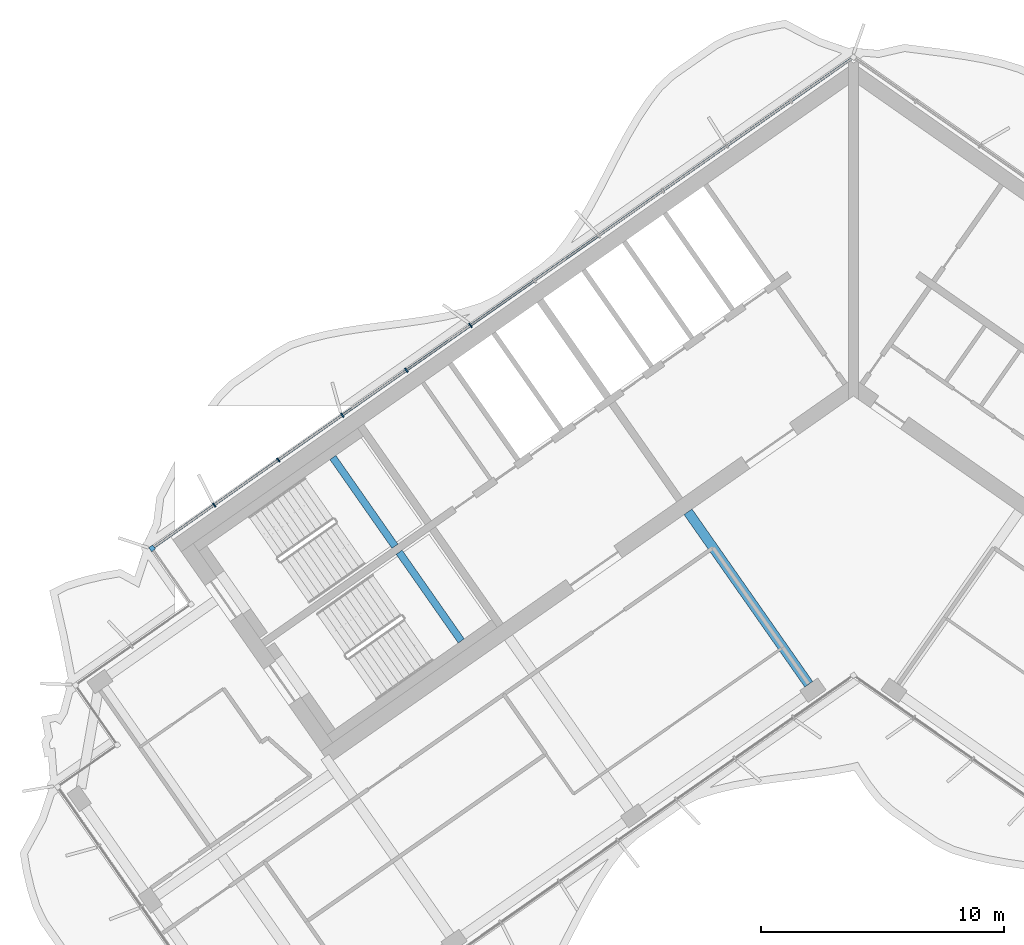
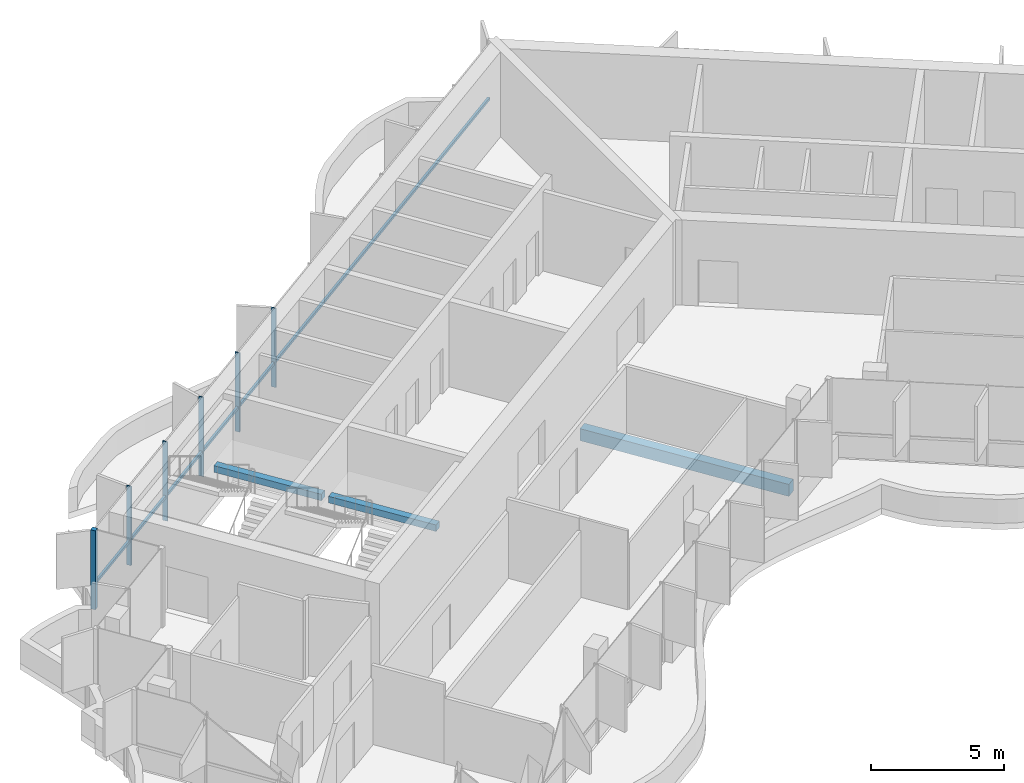
# One storey, part 3 of 17: 7 members, 3 beams, 1 element without a shape of its own.
"""IFC4 building model written with IfcOpenShell, lengths in metres."""

from ifc_helpers import new_model, si_unit, direction, frame, origin, origin_2d, place, context, subcontext, project, spatial, rectangle, extrude, material, material_profile, profile_set, type_object, element, aggregate, save


model = new_model("IFC4")

# Units and contexts
model_context = context("Model", 3, precision=1e-05, world=origin(), true_north=direction((0.0, 1.0)))
body_context = subcontext(model_context, "Body", "Model", "MODEL_VIEW")
ifc_project = project(units=[si_unit("LENGTHUNIT", "METRE"), si_unit("AREAUNIT", "SQUARE_METRE"), si_unit("VOLUMEUNIT", "CUBIC_METRE"), si_unit("PLANEANGLEUNIT", "RADIAN"), si_unit("MASSUNIT", "GRAM", prefix="KILO")], contexts=[model_context])

# Site, building, storey
site_placement = place(None, origin())
site = spatial("IfcSite", under=ifc_project, at=site_placement, CompositionType="ELEMENT")
building_placement = place(site_placement, origin())
building = spatial("IfcBuilding", under=site, at=building_placement, Name="Tel Ilan Convention Tower", CompositionType="ELEMENT")
storey_placement = place(building_placement, frame((0.0, 0.0, 287.800048828125)))
storey = spatial("IfcBuildingStorey", under=building, at=storey_placement, Name="L68", CompositionType="ELEMENT", Elevation=287.800048828125)

# Beam
ifc_material_1 = material(Name="Concrete C40/50", Category="concrete")
ifc_material_profile_1 = material_profile(ifc_material_1, rectangle(XDim=0.39990234375, YDim=0.550048828125, at=origin_2d()), Name="RC 400x550")
ifc_profile_set_1 = profile_set([ifc_material_profile_1], Name="Concrete C40/50")
beam_type_1 = type_object("IfcBeamType", Name="Beam RC 400x550 Concrete C40/50", PredefinedType="BEAM", material=ifc_profile_set_1)
beam_1_placement = place(storey_placement, frame((-1.83740234375, -13.06689453125, -0.554931640625), z_axis=(-0.573574099654, 0.819153680457, 0.0), x_axis=(-0.819153680457, -0.573574099654, 0.0)))
element("IfcBeam", 1, at=beam_1_placement, inside=storey, type_object=beam_type_1, Name="L68 beam W-W-F1-core", PredefinedType="BEAM", context=body_context, shape_type="SweptSolid", body=[
    extrude(rectangle(XDim=0.39990234375, YDim=0.550048828125, at=origin_2d()), origin(), (0.0, 0.0, 1.0), 8.64990234375),
])

# Curtain wall, members
ifc_material_2 = material(Name="Aluminium, bronze anodised", Category="aluminium")
curtain_wall_type = type_object("IfcCurtainWallType", Name="CW2 STICK CURTAIN WALL, SPANDREL PANELS", PredefinedType="NOTDEFINED", material=ifc_material_2)
curtain_wall_placement = place(storey_placement, origin())
curtain_wall = element("IfcCurtainWall", 2, at=curtain_wall_placement, inside=storey, type_object=curtain_wall_type, Name="Curtain wall CW2-51.01", PredefinedType="NOTDEFINED")
ifc_material_3 = material(Name="Aluminium, bronze anodised", Category="aluminium")
ifc_material_profile_2 = material_profile(ifc_material_3, rectangle(XDim=0.199951171875, YDim=0.199951171875, at=origin_2d()), Name="CW CORNER MULLION 200x200")
ifc_profile_set_2 = profile_set([ifc_material_profile_2], Name="Aluminium, bronze anodised")
member_type_1 = type_object("IfcMemberType", Name="CW CORNER MULLION 200x200", PredefinedType="MULLION", material=ifc_profile_set_2)
member_1_placement = place(storey_placement, frame((-28.819580078125, -7.483642578125, 0.0), z_axis=(0.0, 0.0, 1.0), x_axis=(-0.819152044289, -0.573576436351, 0.0)))
member_1 = element("IfcMember", 3, at=member_1_placement, type_object=member_type_1, Name="Corner mullion", PredefinedType="MULLION", context=body_context, shape_type="SweptSolid", body=[
    extrude(rectangle(XDim=0.199951171875, YDim=0.199951171875, at=origin_2d()), origin(), (0.0, 0.0, 1.0), 3.619873046875),
])
ifc_material_4 = material(Name="Aluminium, bronze anodised", Category="aluminium")
ifc_material_profile_3 = material_profile(ifc_material_4, rectangle(XDim=0.06005859375, YDim=0.199951171875, at=origin_2d()), Name="CW MULLION 60x200")
ifc_profile_set_3 = profile_set([ifc_material_profile_3], Name="Aluminium, bronze anodised")
member_type_2 = type_object("IfcMemberType", Name="CW MULLION 60x200", PredefinedType="MULLION", material=ifc_profile_set_3)
member_2_placement = place(storey_placement, frame((-15.73828125, 1.676025390625, 0.0), z_axis=(0.0, 0.0, 1.0), x_axis=(-0.819152044289, -0.573576436351, 0.0)))
member_2 = element("IfcMember", 4, at=member_2_placement, type_object=member_type_2, Name="Mullion", PredefinedType="MULLION", context=body_context, shape_type="SweptSolid", body=[
    extrude(rectangle(XDim=0.06005859375, YDim=0.199951171875, at=origin_2d()), origin(), (0.0, 0.0, 1.0), 3.619873046875),
])
member_3_placement = place(storey_placement, frame((-18.37109375, -0.16748046875, 0.0), z_axis=(0.0, 0.0, 1.0), x_axis=(-0.819152044289, -0.573576436351, 0.0)))
member_3 = element("IfcMember", 5, at=member_3_placement, type_object=member_type_2, Name="Mullion", PredefinedType="MULLION", context=body_context, shape_type="SweptSolid", body=[
    extrude(rectangle(XDim=0.06005859375, YDim=0.199951171875, at=origin_2d()), origin(), (0.0, 0.0, 1.0), 3.619873046875),
])
member_4_placement = place(storey_placement, frame((-21.003662109375, -2.0107421875, 0.0), z_axis=(0.0, 0.0, 1.0), x_axis=(-0.819152044289, -0.573576436351, 0.0)))
member_4 = element("IfcMember", 6, at=member_4_placement, type_object=member_type_2, Name="Mullion", PredefinedType="MULLION", context=body_context, shape_type="SweptSolid", body=[
    extrude(rectangle(XDim=0.06005859375, YDim=0.199951171875, at=origin_2d()), origin(), (0.0, 0.0, 1.0), 3.619873046875),
])
member_5_placement = place(storey_placement, frame((-23.63623046875, -3.854248046875, 0.0), z_axis=(0.0, 0.0, 1.0), x_axis=(-0.819152044289, -0.573576436351, 0.0)))
member_5 = element("IfcMember", 7, at=member_5_placement, type_object=member_type_2, Name="Mullion", PredefinedType="MULLION", context=body_context, shape_type="SweptSolid", body=[
    extrude(rectangle(XDim=0.06005859375, YDim=0.199951171875, at=origin_2d()), origin(), (0.0, 0.0, 1.0), 3.619873046875),
])
member_6_placement = place(storey_placement, frame((-26.268798828125, -5.697509765625, 0.0), z_axis=(0.0, 0.0, 1.0), x_axis=(-0.819152044289, -0.573576436351, 0.0)))
member_6 = element("IfcMember", 8, at=member_6_placement, type_object=member_type_2, Name="Mullion", PredefinedType="MULLION", context=body_context, shape_type="SweptSolid", body=[
    extrude(rectangle(XDim=0.06005859375, YDim=0.199951171875, at=origin_2d()), origin(), (0.0, 0.0, 1.0), 3.619873046875),
])
ifc_material_5 = material(Name="Aluminium, bronze anodised", Category="aluminium")
ifc_material_profile_4 = material_profile(ifc_material_5, rectangle(XDim=0.10009765625, YDim=0.1201171875, at=origin_2d()), Name="CW TRANSOM 100x120")
ifc_profile_set_4 = profile_set([ifc_material_profile_4], Name="Aluminium, bronze anodised")
member_type_3 = type_object("IfcMemberType", Name="CW TRANSOM 100x120", PredefinedType="USERDEFINED", material=ifc_profile_set_4)
member_7_placement = place(storey_placement, frame((-0.1064453125, 12.62158203125, 1.099853515625), z_axis=(-0.819150201937, -0.573579067494, 0.0), x_axis=(0.573579067494, -0.819150201937, 0.0)))
member_7 = element("IfcMember", 9, at=member_7_placement, type_object=member_type_3, Name="Transom", ObjectType="TRANSOM", PredefinedType="USERDEFINED", context=body_context, shape_type="SweptSolid", body=[
    extrude(rectangle(XDim=0.10009765625, YDim=0.1201171875, at=origin_2d()), origin(), (0.0, 0.0, 1.0), 34.9521484375),
])
aggregate(curtain_wall, [member_2, member_3, member_4, member_5, member_6, member_1, member_7])

# Beams
ifc_material_6 = material(Name="Concrete C40/50", Category="concrete")
ifc_material_profile_5 = material_profile(ifc_material_6, rectangle(XDim=0.300048828125, YDim=0.300048828125, at=origin_2d()), Name="RC 300x300")
ifc_profile_set_5 = profile_set([ifc_material_profile_5], Name="Concrete C40/50")
beam_type_2 = type_object("IfcBeamType", Name="Landing Beam RC 300x300 Concrete C40/50", PredefinedType="BEAM", material=ifc_profile_set_5)
beam_2_placement = place(storey_placement, frame((-18.841796875, -7.394287109375, 1.599853515625), z_axis=(-0.573547030514, 0.819172633691, 0.0), x_axis=(-0.819172633691, -0.573547030514, 0.0)))
element("IfcBeam", 10, at=beam_2_placement, inside=storey, type_object=beam_type_2, Name="S1 landing beam L68.1", PredefinedType="BEAM", context=body_context, shape_type="SweptSolid", body=[
    extrude(rectangle(XDim=0.300048828125, YDim=0.300048828125, at=origin_2d()), origin(), (0.0, 0.0, 1.0), 4.449951171875),
])
beam_3_placement = place(storey_placement, frame((-16.1171875, -11.285400390625, 1.599853515625), z_axis=(-0.573583844845, 0.819146856756, 0.0), x_axis=(-0.819146856756, -0.573583844845, 0.0)))
element("IfcBeam", 11, at=beam_3_placement, inside=storey, type_object=beam_type_2, Name="S2 landing beam L68.1", PredefinedType="BEAM", context=body_context, shape_type="SweptSolid", body=[
    extrude(rectangle(XDim=0.300048828125, YDim=0.300048828125, at=origin_2d()), origin(), (0.0, 0.0, 1.0), 4.4501953125),
])

save(model, "model.ifc")
